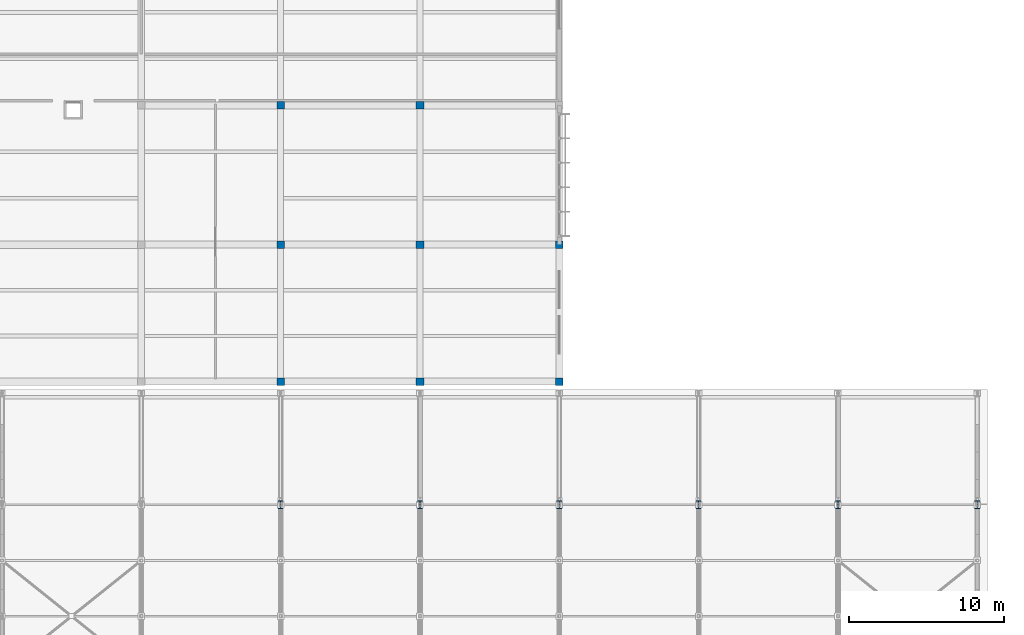
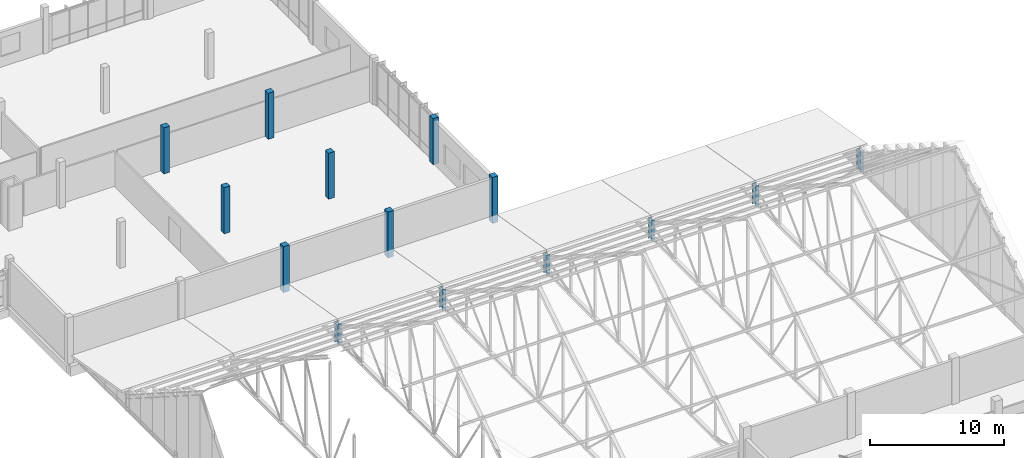
# One storey, part 8 of 182: 14 columns.
"""IFC4 building model written with IfcOpenShell, lengths in metres."""

from ifc_helpers import new_model, si_unit, direction, frame, origin, origin_2d, place, context, subcontext, project, spatial, rectangle, i_section, extrude, material, material_profile, profile_set, type_object, element, save


model = new_model("IFC4")

# Units and contexts
model_context = context("Model", 3, precision=1e-05, world=origin(), true_north=direction((0.0, 1.0)))
body_context = subcontext(model_context, "Body", "Model", "MODEL_VIEW")
ifc_project = project(units=[si_unit("LENGTHUNIT", "METRE"), si_unit("AREAUNIT", "SQUARE_METRE"), si_unit("VOLUMEUNIT", "CUBIC_METRE"), si_unit("PLANEANGLEUNIT", "RADIAN"), si_unit("MASSUNIT", "GRAM", prefix="KILO")], contexts=[model_context])

# Site, building, storey
site_placement = place(None, origin())
site = spatial("IfcSite", under=ifc_project, at=site_placement, CompositionType="ELEMENT")
building_placement = place(site_placement, origin())
building = spatial("IfcBuilding", under=site, at=building_placement, Name="Chiffa Square Polytechnic", CompositionType="ELEMENT")
storey_placement = place(building_placement, frame((0.0, 0.0, 9.60009765625)))
storey = spatial("IfcBuildingStorey", under=building, at=storey_placement, Name="L02", CompositionType="ELEMENT", Elevation=9.60009765625)

# Columns
ifc_material_1 = material(Name="Concrete C35/45", Category="concrete")
ifc_material_profile_1 = material_profile(ifc_material_1, rectangle(XDim=0.5, YDim=0.5, at=origin_2d()), Name="RC 500x500")
ifc_profile_set_1 = profile_set([ifc_material_profile_1], Name="Concrete C35/45")
column_type_1 = type_object("IfcColumnType", Name="COL-RC-500", PredefinedType="COLUMN", material=ifc_profile_set_1)
for number, where, z_axis, x_axis, name in (
    (1, (130.199951171875, 94.949951171875, 0.0), (0.0, 0.0, 1.0), (1.0, 0.0, 0.0), "Column C-V5-L02-1302-0950"),
    (2, (130.199951171875, 103.800048828125, 0.0), (0.0, 0.0, 1.0), (1.0, 0.0, 0.0), "Column C-V5-L02-1302-1038"),
    (3, (130.199951171875, 112.800048828125, 0.0), (0.0, 0.0, 1.0), (1.0, 0.0, 0.0), "Column C-V5-L02-1302-1128"),
    (4, (139.199951171875, 94.949951171875, 0.0), (0.0, 0.0, 1.0), (1.0, 0.0, 0.0), "Column C-V5-L02-1392-0950"),
    (5, (139.199951171875, 103.800048828125, 0.0), (0.0, 0.0, 1.0), (1.0, 0.0, 0.0), "Column C-V5-L02-1392-1038"),
    (6, (139.199951171875, 112.800048828125, 0.0), (0.0, 0.0, 1.0), (1.0, 0.0, 0.0), "Column C-V5-L02-1392-1128"),
    (7, (148.199951171875, 94.949951171875, 0.0), (0.0, 0.0, 1.0), (1.0, 0.0, 0.0), "Column C-V5-L02-1482-0950"),
    (8, (148.199951171875, 103.800048828125, 0.0), (0.0, 0.0, 1.0), (1.0, 0.0, 0.0), "Column C-V5-L02-1482-1038"),
):
    element("IfcColumn", number, at=place(storey_placement, frame(where, z_axis=z_axis, x_axis=x_axis)), inside=storey, type_object=column_type_1, Name=name, PredefinedType="COLUMN", context=body_context, shape_type="SweptSolid", body=[
        extrude(rectangle(XDim=0.5, YDim=0.5, at=origin_2d()), origin(), (0.0, 0.0, 1.0), 4.199951171875),
    ])
ifc_material_2 = material(Name="Steel S355", Category="steel")
ifc_material_profile_2 = material_profile(ifc_material_2, i_section(OverallWidth=0.300048828125, OverallDepth=0.5, WebThickness=0.014404296875, FlangeThickness=0.028076171875, FilletRadius=0.027099609375, at=origin_2d()), Name="HEB 500")
ifc_profile_set_2 = profile_set([ifc_material_profile_2], Name="Steel S355")
column_type_2 = type_object("IfcColumnType", Name="COL-STL-HEB500", PredefinedType="COLUMN", material=ifc_profile_set_2)
for number, where, z_axis, x_axis, name in (
    (9, (130.199951171875, 87.0, 0.0), (0.0, 0.0, 1.0), (1.0, 0.0, 0.0), "Workshop roof column C-V2-L02-1302-0870"),
    (10, (139.199951171875, 87.0, 0.0), (0.0, 0.0, 1.0), (1.0, 0.0, 0.0), "Workshop roof column C-V2-L02-1392-0870"),
    (11, (148.199951171875, 87.0, 0.0), (0.0, 0.0, 1.0), (1.0, 0.0, 0.0), "Workshop roof column C-V2-L02-1482-0870"),
    (12, (157.199951171875, 87.0, 0.0), (0.0, 0.0, 1.0), (1.0, 0.0, 0.0), "Workshop roof column C-V2-L02-1572-0870"),
    (13, (166.199951171875, 87.0, 0.0), (0.0, 0.0, 1.0), (1.0, 0.0, 0.0), "Workshop roof column C-V2-L02-1662-0870"),
    (14, (175.199951171875, 87.0, 0.0), (0.0, 0.0, 1.0), (1.0, 0.0, 0.0), "Workshop roof column C-V2-L02-1752-0870"),
):
    element("IfcColumn", number, at=place(storey_placement, frame(where, z_axis=z_axis, x_axis=x_axis)), inside=storey, type_object=column_type_2, Name=name, PredefinedType="COLUMN", context=body_context, shape_type="SweptSolid", body=[
        extrude(i_section(OverallWidth=0.300048828125, OverallDepth=0.5, WebThickness=0.014404296875, FlangeThickness=0.028076171875, FilletRadius=0.027099609375, at=origin_2d()), origin(), (0.0, 0.0, 1.0), 1.89990234375),
    ])

save(model, "model.ifc")
